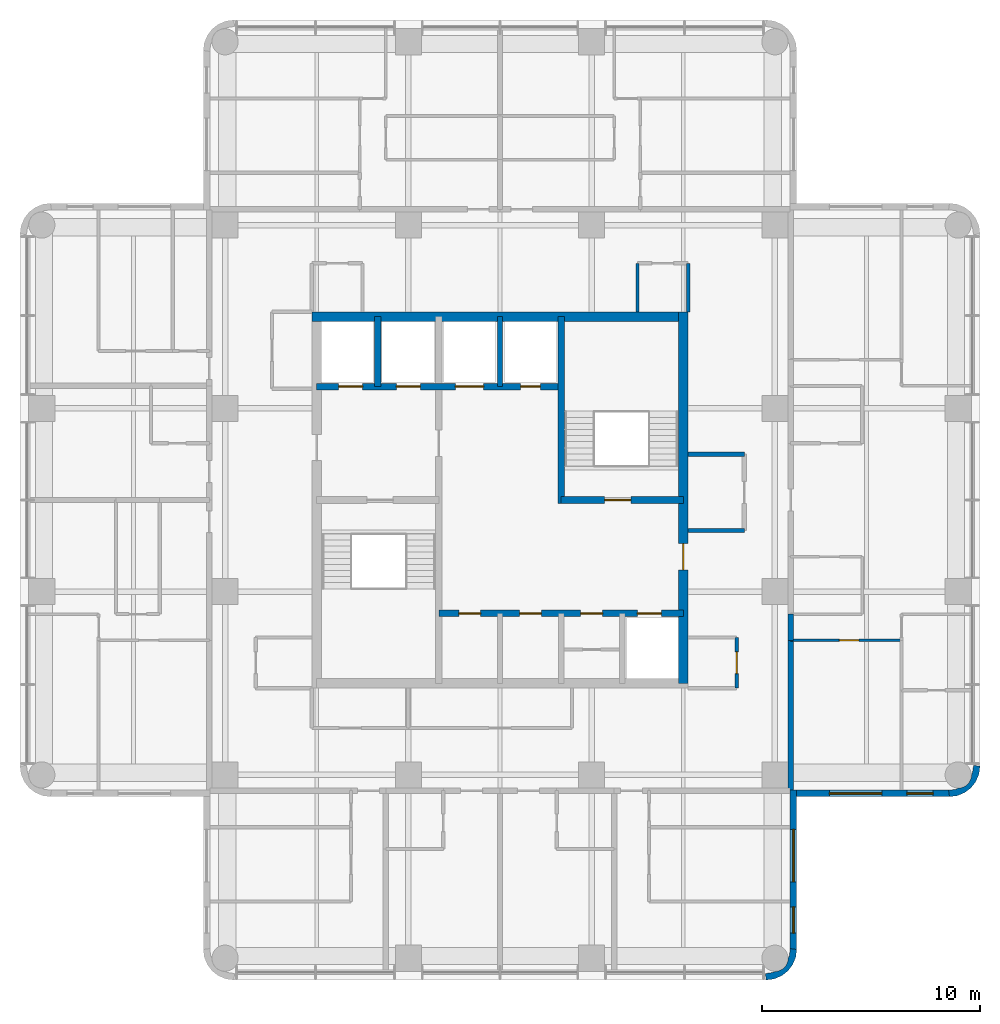
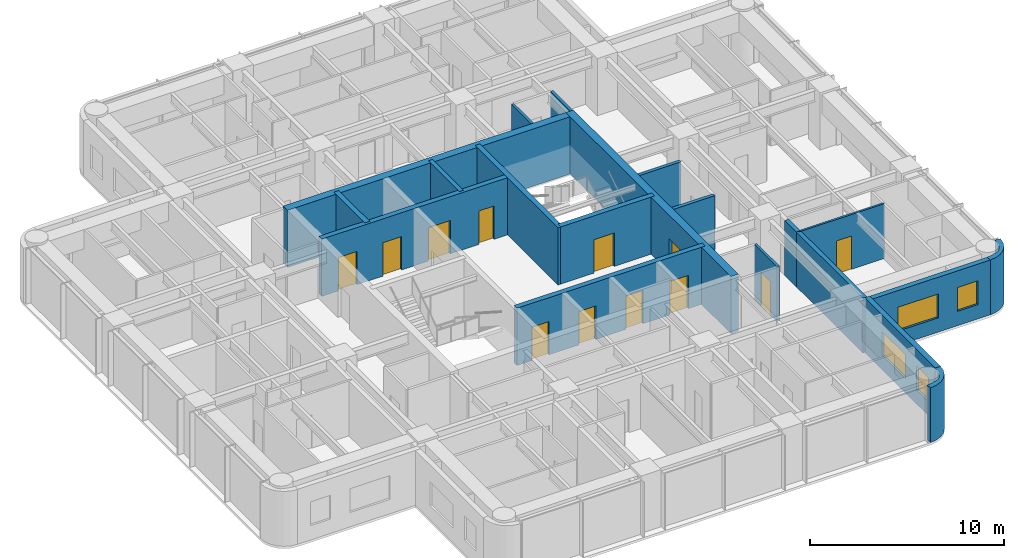
# One storey, part 6 of 10: 20 walls, 12 doors, 4 windows, 16 openings.
"""IFC4 building model written with IfcOpenShell, lengths in metres."""

from ifc_helpers import new_model, si_unit, direction, frame, frame_2d, origin, place, context, subcontext, project, spatial, polyline, rectangle, outline, extrude, material, layer, layer_set, type_object, element, fill, save


model = new_model("IFC4")

# Units and contexts
model_context = context("Model", 3, precision=1e-05, world=origin(), true_north=direction((0.0, 1.0)))
body_context = subcontext(model_context, "Body", "Model", "MODEL_VIEW")
ifc_project = project(units=[si_unit("LENGTHUNIT", "METRE"), si_unit("AREAUNIT", "SQUARE_METRE"), si_unit("VOLUMEUNIT", "CUBIC_METRE"), si_unit("PLANEANGLEUNIT", "RADIAN"), si_unit("MASSUNIT", "GRAM", prefix="KILO")], contexts=[model_context])

# Site, building, storey
site_placement = place(None, origin())
site = spatial("IfcSite", under=ifc_project, at=site_placement, CompositionType="ELEMENT")
building_placement = place(site_placement, origin())
building = spatial("IfcBuilding", under=site, at=building_placement, Name="Torre Alcanfor", CompositionType="ELEMENT")
storey_placement = place(building_placement, frame((0.0, 0.0, 286.5)))
storey = spatial("IfcBuildingStorey", under=building, at=storey_placement, Name="L75", CompositionType="ELEMENT", Elevation=286.5)

# Walls
ifc_material_1 = material(Name="Concrete block masonry, hollow blocks NMX-C-404 9 MPa", Category="masonry")
ifc_layer_1 = layer(ifc_material_1, 0.25)
ifc_layer_set_1 = layer_set([ifc_layer_1], Name="Apartment entrance wall 250 EI 60")
wall_type_1 = type_object("IfcWallType", Name="Apartment entrance wall 250 EI 60", PredefinedType="PARTITIONING", material=ifc_layer_set_1)
wall_1_placement = place(storey_placement, frame((42.72509765625, 24.1708984375, 0.0), z_axis=(0.0, 0.0, 1.0), x_axis=(0.0, -1.0, 0.0)))
element("IfcWall", 1, at=wall_1_placement, inside=storey, type_object=wall_type_1, Name="Partition L75-CORR / L75-EX-LIVING", PredefinedType="PARTITIONING", context=body_context, shape_type="SweptSolid", body=[
    extrude(rectangle(XDim=1.199951171875, YDim=0.25, at=frame_2d((0.60009765625, 0.0))), origin(), (0.0, 0.0, 1.0), 3.449951171875),
])
wall_2_placement = place(storey_placement, frame((42.72509765625, 22.970947265625, 0.0), z_axis=(0.0, 0.0, 1.0), x_axis=(0.0, -1.0, 0.0)))
element("IfcWall", 2, at=wall_2_placement, inside=storey, type_object=wall_type_1, Name="Partition L75-CORR / L75-EX-BED3", PredefinedType="PARTITIONING", context=body_context, shape_type="SweptSolid", body=[
    extrude(rectangle(XDim=6.870849609375, YDim=0.25, at=frame_2d((3.435546875, 0.0))), origin(), (0.0, 0.0, 1.0), 3.449951171875),
])

# Wall, opening, door
ifc_material_2 = material(Name="Gypsum board on steel studs", Category="steel")
ifc_layer_2 = layer(ifc_material_2, 0.1201171875)
ifc_layer_set_2 = layer_set([ifc_layer_2], Name="Apartment partition 120")
wall_type_2 = type_object("IfcWallType", Name="Apartment partition 120", PredefinedType="PARTITIONING", material=ifc_layer_set_2)
wall_3_placement = place(storey_placement, frame((47.800048828125, 22.970947265625, 0.0), z_axis=(0.0, 0.0, 1.0), x_axis=(-1.0, 0.0, 0.0)))
wall_3 = element("IfcWall", 3, at=wall_3_placement, inside=storey, type_object=wall_type_2, Name="Partition L75-EX-LIVING / L75-EX-BED3", PredefinedType="PARTITIONING", context=body_context, shape_type="SweptSolid", body=[
    extrude(rectangle(XDim=5.074951171875, YDim=0.1201171875, at=frame_2d((2.53759765625, 0.0))), origin(), (0.0, 0.0, 1.0), 3.449951171875),
])
opening_1_placement = place(wall_3_placement, frame((1.949951171875, 0.0, 0.0)))
opening_1 = element("IfcOpeningElement", 4, at=opening_1_placement, cuts=wall_3, Name="Opening D-R1", PredefinedType="OPENING", context=body_context, shape_type="SweptSolid", body=[
    extrude(rectangle(XDim=0.89990234375, YDim=2.10009765625, at=frame_2d((0.449951171875, 1.050048828125))), frame((0.0, 0.070068359375, 0.0), z_axis=(0.0, -1.0, 0.0), x_axis=(1.0, 0.0, 0.0)), (0.0, 0.0, 1.0), 0.14013671875),
])
ifc_material_3 = material(Name="Timber", Category="wood")
door_type_1 = type_object("IfcDoorType", Name="Internal door 900x2100", OperationType="SINGLE_SWING_LEFT", PredefinedType="DOOR", material=ifc_material_3)
door_1_placement = place(opening_1_placement, origin())
door_1 = element("IfcDoor", 5, at=door_1_placement, inside=storey, type_object=door_type_1, Name="Door L75-EX bed3", OperationType="SINGLE_SWING_LEFT", OverallHeight=2.10009765625, OverallWidth=0.89990234375, PredefinedType="DOOR", context=body_context, shape_type="SweptSolid", body=[
    extrude(rectangle(XDim=0.89990234375, YDim=2.10009765625, at=frame_2d((0.449951171875, 1.050048828125))), frame((0.0, 0.02490234375, 0.0), z_axis=(0.0, -1.0, 0.0), x_axis=(1.0, 0.0, 0.0)), (0.0, 0.0, 1.0), 0.050048828125),
])
fill(opening_1, door_1)

# Wall, openings, doors
ifc_material_4 = material(Name="Concrete f'c 70 MPa", Category="concrete")
ifc_layer_3 = layer(ifc_material_4, 0.300048828125)
ifc_layer_set_3 = layer_set([ifc_layer_3], Name="Core inner wall 300 f'c70")
wall_type_3 = type_object("IfcWallType", Name="Core inner wall 300 f'c70", PredefinedType="SHEAR", material=ifc_layer_set_3)
wall_4_placement = place(storey_placement, frame((21.0, 34.60009765625, 0.0), z_axis=(0.0, 0.0, 1.0), x_axis=(1.0, 0.0, 0.0)))
wall_4 = element("IfcWall", 6, at=wall_4_placement, inside=storey, type_object=wall_type_3, Name="Core wall Y346 L75", PredefinedType="SHEAR", context=body_context, shape_type="SweptSolid", body=[
    extrude(rectangle(XDim=11.199951171875, YDim=0.300048828125, at=frame_2d((5.60009765625, 0.0))), origin(), (0.0, 0.0, 1.0), 3.60009765625),
])
opening_2_placement = place(wall_4_placement, frame((9.35009765625, 0.0, 0.0)))
opening_2 = element("IfcOpeningElement", 7, at=opening_2_placement, cuts=wall_4, Name="Opening D-Q1", PredefinedType="OPENING", context=body_context, shape_type="SweptSolid", body=[
    extrude(rectangle(XDim=0.89990234375, YDim=2.10009765625, at=frame_2d((0.449951171875, 1.050048828125))), frame((0.0, 0.159912109375, 0.0), z_axis=(0.0, -1.0, 0.0), x_axis=(1.0, 0.0, 0.0)), (0.0, 0.0, 1.0), 0.320068359375),
])
opening_3_placement = place(wall_4_placement, frame((1.0, 0.0, 0.0)))
opening_3 = element("IfcOpeningElement", 8, at=opening_3_placement, cuts=wall_4, Name="Opening LD2", PredefinedType="OPENING", context=body_context, shape_type="SweptSolid", body=[
    extrude(rectangle(XDim=1.10009765625, YDim=2.10009765625, at=frame_2d((0.550048828125, 1.050048828125))), frame((0.0, 0.159912109375, 0.0), z_axis=(0.0, -1.0, 0.0), x_axis=(1.0, 0.0, 0.0)), (0.0, 0.0, 1.0), 0.320068359375),
])
opening_4_placement = place(wall_4_placement, frame((3.64990234375, 0.0, 0.0)))
opening_4 = element("IfcOpeningElement", 9, at=opening_4_placement, cuts=wall_4, Name="Opening LD2", PredefinedType="OPENING", context=body_context, shape_type="SweptSolid", body=[
    extrude(rectangle(XDim=1.10009765625, YDim=2.10009765625, at=frame_2d((0.550048828125, 1.050048828125))), frame((0.0, 0.159912109375, 0.0), z_axis=(0.0, -1.0, 0.0), x_axis=(1.0, 0.0, 0.0)), (0.0, 0.0, 1.0), 0.320068359375),
])
opening_5_placement = place(wall_4_placement, frame((6.35009765625, 0.0, 0.0)))
opening_5 = element("IfcOpeningElement", 10, at=opening_5_placement, cuts=wall_4, Name="Opening LD3", PredefinedType="OPENING", context=body_context, shape_type="SweptSolid", body=[
    extrude(rectangle(XDim=1.300048828125, YDim=2.10009765625, at=frame_2d((0.64990234375, 1.050048828125))), frame((0.0, 0.159912109375, 0.0), z_axis=(0.0, -1.0, 0.0), x_axis=(1.0, 0.0, 0.0)), (0.0, 0.0, 1.0), 0.320068359375),
])
ifc_material_5 = material(Name="Galvanised steel sheet ASTM A653", Category="steel")
door_type_2 = type_object("IfcDoorType", Name="Firefighting lift landing door 1100x2100", OperationType="DOUBLE_DOOR_SLIDING", PredefinedType="DOOR", material=ifc_material_5)
door_2_placement = place(opening_3_placement, origin())
door_2 = element("IfcDoor", 11, at=door_2_placement, inside=storey, type_object=door_type_2, Name="Lift landing door FL1 L75", OperationType="DOUBLE_DOOR_SLIDING", OverallHeight=2.10009765625, OverallWidth=1.10009765625, PredefinedType="DOOR", context=body_context, shape_type="SweptSolid", body=[
    extrude(rectangle(XDim=1.10009765625, YDim=2.10009765625, at=frame_2d((0.550048828125, 1.050048828125))), frame((0.0, 0.02490234375, 0.0), z_axis=(0.0, -1.0, 0.0), x_axis=(1.0, 0.0, 0.0)), (0.0, 0.0, 1.0), 0.050048828125),
])
fill(opening_3, door_2)
door_3_placement = place(opening_4_placement, origin())
door_3 = element("IfcDoor", 12, at=door_3_placement, inside=storey, type_object=door_type_2, Name="Lift landing door FL2 L75", OperationType="DOUBLE_DOOR_SLIDING", OverallHeight=2.10009765625, OverallWidth=1.10009765625, PredefinedType="DOOR", context=body_context, shape_type="SweptSolid", body=[
    extrude(rectangle(XDim=1.10009765625, YDim=2.10009765625, at=frame_2d((0.550048828125, 1.050048828125))), frame((0.0, 0.02490234375, 0.0), z_axis=(0.0, -1.0, 0.0), x_axis=(1.0, 0.0, 0.0)), (0.0, 0.0, 1.0), 0.050048828125),
])
fill(opening_4, door_3)
ifc_material_6 = material(Name="Galvanised steel sheet ASTM A653", Category="steel")
door_type_3 = type_object("IfcDoorType", Name="Riser access door FD120 900x2100", OperationType="SINGLE_SWING_LEFT", PredefinedType="DOOR", material=ifc_material_6)
door_4_placement = place(opening_2_placement, origin())
door_4 = element("IfcDoor", 13, at=door_4_placement, inside=storey, type_object=door_type_3, Name="Riser door L75", OperationType="SINGLE_SWING_LEFT", OverallHeight=2.10009765625, OverallWidth=0.89990234375, PredefinedType="DOOR", context=body_context, shape_type="SweptSolid", body=[
    extrude(rectangle(XDim=0.89990234375, YDim=2.10009765625, at=frame_2d((0.449951171875, 1.050048828125))), frame((0.0, 0.02490234375, 0.0), z_axis=(0.0, -1.0, 0.0), x_axis=(1.0, 0.0, 0.0)), (0.0, 0.0, 1.0), 0.050048828125),
])
fill(opening_2, door_4)
ifc_material_7 = material(Name="Galvanised steel sheet ASTM A653", Category="steel")
door_type_4 = type_object("IfcDoorType", Name="Service lift landing door 1300x2100", OperationType="DOUBLE_DOOR_SLIDING", PredefinedType="DOOR", material=ifc_material_7)
door_5_placement = place(opening_5_placement, origin())
door_5 = element("IfcDoor", 14, at=door_5_placement, inside=storey, type_object=door_type_4, Name="Lift landing door SL1 L75", OperationType="DOUBLE_DOOR_SLIDING", OverallHeight=2.10009765625, OverallWidth=1.300048828125, PredefinedType="DOOR", context=body_context, shape_type="SweptSolid", body=[
    extrude(rectangle(XDim=1.300048828125, YDim=2.10009765625, at=frame_2d((0.64990234375, 1.050048828125))), frame((0.0, 0.02490234375, 0.0), z_axis=(0.0, -1.0, 0.0), x_axis=(1.0, 0.0, 0.0)), (0.0, 0.0, 1.0), 0.050048828125),
])
fill(opening_5, door_5)

# Wall
wall_5_placement = place(storey_placement, frame((23.800048828125, 34.60009765625, 0.0), z_axis=(0.0, 0.0, 1.0), x_axis=(0.0, 1.0, 0.0)))
element("IfcWall", 15, at=wall_5_placement, inside=storey, type_object=wall_type_3, Name="Core wall X238 L75", PredefinedType="SHEAR", context=body_context, shape_type="SweptSolid", body=[
    extrude(rectangle(XDim=3.199951171875, YDim=0.300048828125, at=frame_2d((1.60009765625, 0.0))), origin(), (0.0, 0.0, 1.0), 3.60009765625),
])

# Wall, openings, doors
wall_6_placement = place(storey_placement, frame((26.60009765625, 24.199951171875, 0.0), z_axis=(0.0, 0.0, 1.0), x_axis=(1.0, 0.0, 0.0)))
wall_6 = element("IfcWall", 16, at=wall_6_placement, inside=storey, type_object=wall_type_3, Name="Core wall Y242 L75", PredefinedType="SHEAR", context=body_context, shape_type="SweptSolid", body=[
    extrude(rectangle(XDim=11.199951171875, YDim=0.300048828125, at=frame_2d((5.60009765625, 0.0))), origin(), (0.0, 0.0, 1.0), 3.60009765625),
])
opening_6_placement = place(wall_6_placement, frame((0.91259765625, 0.0, 0.0)))
opening_6 = element("IfcOpeningElement", 17, at=opening_6_placement, cuts=wall_6, Name="Opening D-K1", PredefinedType="OPENING", context=body_context, shape_type="SweptSolid", body=[
    extrude(rectangle(XDim=1.0, YDim=2.10009765625, at=frame_2d((0.5, 1.050048828125))), frame((0.0, 0.159912109375, 0.0), z_axis=(0.0, -1.0, 0.0), x_axis=(1.0, 0.0, 0.0)), (0.0, 0.0, 1.0), 0.320068359375),
])
opening_7_placement = place(wall_6_placement, frame((3.699951171875, 0.0, 0.0)))
opening_7 = element("IfcOpeningElement", 18, at=opening_7_placement, cuts=wall_6, Name="Opening D-K1", PredefinedType="OPENING", context=body_context, shape_type="SweptSolid", body=[
    extrude(rectangle(XDim=1.0, YDim=2.10009765625, at=frame_2d((0.5, 1.050048828125))), frame((0.0, 0.159912109375, 0.0), z_axis=(0.0, -1.0, 0.0), x_axis=(1.0, 0.0, 0.0)), (0.0, 0.0, 1.0), 0.320068359375),
])
opening_8_placement = place(wall_6_placement, frame((6.5, 0.0, 0.0)))
opening_8 = element("IfcOpeningElement", 19, at=opening_8_placement, cuts=wall_6, Name="Opening D-K1", PredefinedType="OPENING", context=body_context, shape_type="SweptSolid", body=[
    extrude(rectangle(XDim=1.0, YDim=2.10009765625, at=frame_2d((0.5, 1.050048828125))), frame((0.0, 0.159912109375, 0.0), z_axis=(0.0, -1.0, 0.0), x_axis=(1.0, 0.0, 0.0)), (0.0, 0.0, 1.0), 0.320068359375),
])
opening_9_placement = place(wall_6_placement, frame((9.10009765625, 0.0, 0.0)))
opening_9 = element("IfcOpeningElement", 20, at=opening_9_placement, cuts=wall_6, Name="Opening LD1", PredefinedType="OPENING", context=body_context, shape_type="SweptSolid", body=[
    extrude(rectangle(XDim=1.10009765625, YDim=2.10009765625, at=frame_2d((0.550048828125, 1.050048828125))), frame((0.0, 0.159912109375, 0.0), z_axis=(0.0, -1.0, 0.0), x_axis=(1.0, 0.0, 0.0)), (0.0, 0.0, 1.0), 0.320068359375),
])
ifc_material_8 = material(Name="Galvanised steel sheet ASTM A653", Category="steel")
door_type_5 = type_object("IfcDoorType", Name="Core room door FD60 1000x2100", OperationType="SINGLE_SWING_LEFT", PredefinedType="DOOR", material=ifc_material_8)
door_6_placement = place(opening_6_placement, frame((1.0, 0.0, 0.0), z_axis=(0.0, 0.0, 1.0), x_axis=(-1.0, 0.0, 0.0)))
door_6 = element("IfcDoor", 21, at=door_6_placement, inside=storey, type_object=door_type_5, Name="Linen store door L75", OperationType="SINGLE_SWING_RIGHT", OverallHeight=2.10009765625, OverallWidth=1.0, PredefinedType="DOOR", context=body_context, shape_type="SweptSolid", body=[
    extrude(rectangle(XDim=1.0, YDim=2.10009765625, at=frame_2d((0.5, 1.050048828125))), frame((0.0, 0.025146484375, 0.0), z_axis=(0.0, -1.0, 0.0), x_axis=(1.0, 0.0, 0.0)), (0.0, 0.0, 1.0), 0.050048828125),
])
fill(opening_6, door_6)
door_7_placement = place(opening_7_placement, frame((1.0, 0.0, 0.0), z_axis=(0.0, 0.0, 1.0), x_axis=(-1.0, 0.0, 0.0)))
door_7 = element("IfcDoor", 22, at=door_7_placement, inside=storey, type_object=door_type_5, Name="IT and comms room door L75", OperationType="SINGLE_SWING_RIGHT", OverallHeight=2.10009765625, OverallWidth=1.0, PredefinedType="DOOR", context=body_context, shape_type="SweptSolid", body=[
    extrude(rectangle(XDim=1.0, YDim=2.10009765625, at=frame_2d((0.5, 1.050048828125))), frame((0.0, 0.025146484375, 0.0), z_axis=(0.0, -1.0, 0.0), x_axis=(1.0, 0.0, 0.0)), (0.0, 0.0, 1.0), 0.050048828125),
])
fill(opening_7, door_7)
door_8_placement = place(opening_8_placement, frame((1.0, 0.0, 0.0), z_axis=(0.0, 0.0, 1.0), x_axis=(-1.0, 0.0, 0.0)))
door_8 = element("IfcDoor", 23, at=door_8_placement, inside=storey, type_object=door_type_5, Name="Housekeeping store door L75", OperationType="SINGLE_SWING_RIGHT", OverallHeight=2.10009765625, OverallWidth=1.0, PredefinedType="DOOR", context=body_context, shape_type="SweptSolid", body=[
    extrude(rectangle(XDim=1.0, YDim=2.10009765625, at=frame_2d((0.5, 1.050048828125))), frame((0.0, 0.025146484375, 0.0), z_axis=(0.0, -1.0, 0.0), x_axis=(1.0, 0.0, 0.0)), (0.0, 0.0, 1.0), 0.050048828125),
])
fill(opening_8, door_8)
ifc_material_9 = material(Name="Galvanised steel sheet ASTM A653", Category="steel")
door_type_6 = type_object("IfcDoorType", Name="Lift landing door 1100x2100", OperationType="DOUBLE_DOOR_SLIDING", PredefinedType="DOOR", material=ifc_material_9)
door_9_placement = place(opening_9_placement, origin())
door_9 = element("IfcDoor", 24, at=door_9_placement, inside=storey, type_object=door_type_6, Name="Lift landing door PA4 L75", OperationType="DOUBLE_DOOR_SLIDING", OverallHeight=2.10009765625, OverallWidth=1.10009765625, PredefinedType="DOOR", context=body_context, shape_type="SweptSolid", body=[
    extrude(rectangle(XDim=1.10009765625, YDim=2.10009765625, at=frame_2d((0.550048828125, 1.050048828125))), frame((0.0, 0.02490234375, 0.0), z_axis=(0.0, -1.0, 0.0), x_axis=(1.0, 0.0, 0.0)), (0.0, 0.0, 1.0), 0.050048828125),
])
fill(opening_9, door_9)

# Wall
wall_7_placement = place(storey_placement, frame((32.199951171875, 29.25, 0.0), z_axis=(0.0, 0.0, 1.0), x_axis=(0.0, 1.0, 0.0)))
element("IfcWall", 25, at=wall_7_placement, inside=storey, type_object=wall_type_3, Name="Core wall X322N L75", PredefinedType="SHEAR", context=body_context, shape_type="SweptSolid", body=[
    extrude(rectangle(XDim=8.550048828125, YDim=0.300048828125, at=frame_2d((4.27490234375, 0.0))), origin(), (0.0, 0.0, 1.0), 3.60009765625),
])

# Wall, opening, door
wall_8_placement = place(storey_placement, frame((32.199951171875, 29.39990234375, 0.0), z_axis=(0.0, 0.0, 1.0), x_axis=(1.0, 0.0, 0.0)))
wall_8 = element("IfcWall", 26, at=wall_8_placement, inside=storey, type_object=wall_type_3, Name="Core wall Y294E L75", PredefinedType="SHEAR", context=body_context, shape_type="SweptSolid", body=[
    extrude(rectangle(XDim=5.60009765625, YDim=0.300048828125, at=frame_2d((2.800048828125, 0.0))), origin(), (0.0, 0.0, 1.0), 3.60009765625),
])
opening_10_placement = place(wall_8_placement, frame((2.0, 0.0, 0.0)))
opening_10 = element("IfcOpeningElement", 27, at=opening_10_placement, cuts=wall_8, Name="Opening D-S2", PredefinedType="OPENING", context=body_context, shape_type="SweptSolid", body=[
    extrude(rectangle(XDim=1.199951171875, YDim=2.10009765625, at=frame_2d((0.60009765625, 1.050048828125))), frame((0.0, 0.159912109375, 0.0), z_axis=(0.0, -1.0, 0.0), x_axis=(1.0, 0.0, 0.0)), (0.0, 0.0, 1.0), 0.320068359375),
])
ifc_material_10 = material(Name="Galvanised steel sheet ASTM A653", Category="steel")
door_type_7 = type_object("IfcDoorType", Name="Stair enclosure door FD120 1200x2100", OperationType="SINGLE_SWING_LEFT", PredefinedType="DOOR", material=ifc_material_10)
door_10_placement = place(opening_10_placement, origin())
door_10 = element("IfcDoor", 28, at=door_10_placement, inside=storey, type_object=door_type_7, Name="Stair S2 door L75", OperationType="SINGLE_SWING_LEFT", OverallHeight=2.10009765625, OverallWidth=1.199951171875, PredefinedType="DOOR", context=body_context, shape_type="SweptSolid", body=[
    extrude(rectangle(XDim=1.199951171875, YDim=2.10009765625, at=frame_2d((0.60009765625, 1.050048828125))), frame((0.0, 0.02490234375, 0.0), z_axis=(0.0, -1.0, 0.0), x_axis=(1.0, 0.0, 0.0)), (0.0, 0.0, 1.0), 0.050048828125),
])
fill(opening_10, door_10)

# Wall
ifc_material_11 = material(Name="Concrete f'c 70 MPa", Category="concrete")
ifc_layer_4 = layer(ifc_material_11, 0.25)
ifc_layer_set_4 = layer_set([ifc_layer_4], Name="Core shaft wall 250 f'c70")
wall_type_4 = type_object("IfcWallType", Name="Core shaft wall 250 f'c70", PredefinedType="SHEAR", material=ifc_layer_set_4)
wall_9_placement = place(storey_placement, frame((29.39990234375, 34.60009765625, 0.0), z_axis=(0.0, 0.0, 1.0), x_axis=(0.0, 1.0, 0.0)))
element("IfcWall", 29, at=wall_9_placement, inside=storey, type_object=wall_type_4, Name="Core wall X294N L75", PredefinedType="SHEAR", context=body_context, shape_type="SweptSolid", body=[
    extrude(rectangle(XDim=3.199951171875, YDim=0.25, at=frame_2d((1.60009765625, 0.0))), origin(), (0.0, 0.0, 1.0), 3.60009765625),
])

# Wall, opening, door
ifc_material_12 = material(Name="Concrete f'c 70 MPa", Category="concrete")
ifc_layer_5 = layer(ifc_material_12, 0.449951171875)
ifc_layer_set_5 = layer_set([ifc_layer_5], Name="Core wall 450 f'c70")
wall_type_5 = type_object("IfcWallType", Name="Core wall 450 f'c70", PredefinedType="SHEAR", material=ifc_layer_set_5)
wall_10_placement = place(storey_placement, frame((37.800048828125, 21.0, 0.0), z_axis=(0.0, 0.0, 1.0), x_axis=(0.0, 1.0, 0.0)))
wall_10 = element("IfcWall", 30, at=wall_10_placement, inside=storey, type_object=wall_type_5, Name="Core wall OUT-E L75", PredefinedType="SHEAR", context=body_context, shape_type="SweptSolid", body=[
    extrude(rectangle(XDim=17.02490234375, YDim=0.449951171875, at=frame_2d((8.512451171875, 0.0))), origin(), (0.0, 0.0, 1.0), 3.60009765625),
])
opening_11_placement = place(wall_10_placement, frame((5.199951171875, 0.0, 0.0)))
opening_11 = element("IfcOpeningElement", 31, at=opening_11_placement, cuts=wall_10, Name="Opening D-L1", PredefinedType="OPENING", context=body_context, shape_type="SweptSolid", body=[
    extrude(rectangle(XDim=1.199951171875, YDim=2.10009765625, at=frame_2d((0.60009765625, 1.050048828125))), frame((0.0, 0.23486328125, 0.0), z_axis=(0.0, -1.0, 0.0), x_axis=(1.0, 0.0, 0.0)), (0.0, 0.0, 1.0), 0.469970703125),
])
ifc_material_13 = material(Name="Galvanised steel sheet ASTM A653", Category="steel")
door_type_8 = type_object("IfcDoorType", Name="Lobby door FD120 1200x2100", OperationType="SINGLE_SWING_LEFT", PredefinedType="DOOR", material=ifc_material_13)
door_11_placement = place(opening_11_placement, origin())
door_11 = element("IfcDoor", 32, at=door_11_placement, inside=storey, type_object=door_type_8, Name="Lift lobby entrance door L75", OperationType="SINGLE_SWING_LEFT", OverallHeight=2.10009765625, OverallWidth=1.199951171875, PredefinedType="DOOR", context=body_context, shape_type="SweptSolid", body=[
    extrude(rectangle(XDim=1.199951171875, YDim=2.10009765625, at=frame_2d((0.60009765625, 1.050048828125))), frame((0.0, 0.02490234375, 0.0), z_axis=(0.0, -1.0, 0.0), x_axis=(1.0, 0.0, 0.0)), (0.0, 0.0, 1.0), 0.050048828125),
])
fill(opening_11, door_11)

# Wall
wall_11_placement = place(storey_placement, frame((37.800048828125, 37.800048828125, 0.0), z_axis=(0.0, 0.0, 1.0), x_axis=(-1.0, 0.0, 0.0)))
element("IfcWall", 33, at=wall_11_placement, inside=storey, type_object=wall_type_5, Name="Core wall OUT-N L75", PredefinedType="SHEAR", context=body_context, shape_type="SweptSolid", body=[
    extrude(rectangle(XDim=17.025146484375, YDim=0.449951171875, at=frame_2d((8.5126953125, 0.0))), origin(), (0.0, 0.0, 1.0), 3.60009765625),
])

# Wall, openings, windows
ifc_material_14 = material(Name="Limestone cladding", Category="masonry")
ifc_layer_6 = layer(ifc_material_14, 0.0400390625, Name="Facing")
ifc_material_15 = material(Name="Ventilated air cavity")
ifc_layer_7 = layer(ifc_material_15, 0.02001953125, ventilated=True, Name="Ventilated joint")
ifc_material_16 = material(Name="Mineral wool insulation", Category="insulation")
ifc_layer_8 = layer(ifc_material_16, 0.10009765625, Name="Insulation")
ifc_material_17 = material(Name="Concrete f'c 35 MPa", Category="concrete")
ifc_layer_9 = layer(ifc_material_17, 0.139892578125, Name="Backing")
ifc_layer_set_6 = layer_set([ifc_layer_6, ifc_layer_7, ifc_layer_8, ifc_layer_9], Name="External wall stone-clad 300")
wall_type_6 = type_object("IfcWallType", Name="External wall stone-clad 300", PredefinedType="SOLIDWALL", material=ifc_layer_set_6)
wall_12_placement = place(storey_placement, frame((42.85009765625, 8.800048828125, 0.0), z_axis=(0.0, 0.0, 1.0), x_axis=(0.0, 1.0, 0.0)))
wall_12 = element("IfcWall", 34, at=wall_12_placement, inside=storey, type_object=wall_type_6, Name="External wall L75 6", PredefinedType="SOLIDWALL", context=body_context, shape_type="SweptSolid", body=[
    extrude(rectangle(XDim=7.300048828125, YDim=0.300048828125, at=frame_2d((3.64990234375, 0.0))), origin(), (0.0, 0.0, 1.0), 3.449951171875),
])
opening_12_placement = place(wall_12_placement, frame((3.10009765625, 0.0, 0.89990234375)))
opening_12 = element("IfcOpeningElement", 35, at=opening_12_placement, cuts=wall_12, Name="Opening W1", PredefinedType="OPENING", context=body_context, shape_type="SweptSolid", body=[
    extrude(rectangle(XDim=2.39990234375, YDim=1.5, at=frame_2d((1.199951171875, 0.75))), frame((0.0, 0.159912109375, 0.0), z_axis=(0.0, -1.0, 0.0), x_axis=(1.0, 0.0, 0.0)), (0.0, 0.0, 1.0), 0.320068359375),
])
opening_13_placement = place(wall_12_placement, frame((0.75, 0.0, 0.89990234375)))
opening_13 = element("IfcOpeningElement", 36, at=opening_13_placement, cuts=wall_12, Name="Opening W4", PredefinedType="OPENING", context=body_context, shape_type="SweptSolid", body=[
    extrude(rectangle(XDim=1.199951171875, YDim=1.5, at=frame_2d((0.60009765625, 0.75))), frame((0.0, 0.159912109375, 0.0), z_axis=(0.0, -1.0, 0.0), x_axis=(1.0, 0.0, 0.0)), (0.0, 0.0, 1.0), 0.320068359375),
])
ifc_material_18 = material(Name="Aluminium frame with clear double glazing", Category="aluminium")
window_type_1 = type_object("IfcWindowType", Name="Window bedroom 1200x1500", PartitioningType="SINGLE_PANEL", PredefinedType="WINDOW", material=ifc_material_18)
window_1_placement = place(opening_13_placement, origin())
window_1 = element("IfcWindow", 37, at=window_1_placement, inside=storey, type_object=window_type_1, Name="Window W4 L75-S1", OverallHeight=1.5, OverallWidth=1.199951171875, PartitioningType="SINGLE_PANEL", PredefinedType="WINDOW", context=body_context, shape_type="SweptSolid", body=[
    extrude(rectangle(XDim=1.199951171875, YDim=1.5, at=frame_2d((0.60009765625, 0.75))), frame((0.0, 0.030029296875, 0.0), z_axis=(0.0, -1.0, 0.0), x_axis=(1.0, 0.0, 0.0)), (0.0, 0.0, 1.0), 0.06005859375),
])
fill(opening_13, window_1)
ifc_material_19 = material(Name="Aluminium frame with clear double glazing", Category="aluminium")
window_type_2 = type_object("IfcWindowType", Name="Window bedroom 2400x1500", PartitioningType="SINGLE_PANEL", PredefinedType="WINDOW", material=ifc_material_19)
window_2_placement = place(opening_12_placement, origin())
window_2 = element("IfcWindow", 38, at=window_2_placement, inside=storey, type_object=window_type_2, Name="Window W1 L75-S1", OverallHeight=1.5, OverallWidth=2.39990234375, PartitioningType="SINGLE_PANEL", PredefinedType="WINDOW", context=body_context, shape_type="SweptSolid", body=[
    extrude(rectangle(XDim=2.39990234375, YDim=1.5, at=frame_2d((1.199951171875, 0.75))), frame((0.0, 0.030029296875, 0.0), z_axis=(0.0, -1.0, 0.0), x_axis=(1.0, 0.0, 0.0)), (0.0, 0.0, 1.0), 0.06005859375),
])
fill(opening_12, window_2)

wall_13_placement = place(storey_placement, frame((43.0, 15.949951171875, 0.0), z_axis=(0.0, 0.0, 1.0), x_axis=(1.0, 0.0, 0.0)))
wall_13 = element("IfcWall", 39, at=wall_13_placement, inside=storey, type_object=wall_type_6, Name="External wall L75 7", PredefinedType="SOLIDWALL", context=body_context, shape_type="SweptSolid", body=[
    extrude(rectangle(XDim=7.0, YDim=0.300048828125, at=frame_2d((3.5, 0.0))), origin(), (0.0, 0.0, 1.0), 3.449951171875),
])
opening_14_placement = place(wall_13_placement, frame((1.5, 0.0, 0.89990234375)))
opening_14 = element("IfcOpeningElement", 40, at=opening_14_placement, cuts=wall_13, Name="Opening W1", PredefinedType="OPENING", context=body_context, shape_type="SweptSolid", body=[
    extrude(rectangle(XDim=2.39990234375, YDim=1.5, at=frame_2d((1.199951171875, 0.75))), frame((0.0, 0.159912109375, 0.0), z_axis=(0.0, -1.0, 0.0), x_axis=(1.0, 0.0, 0.0)), (0.0, 0.0, 1.0), 0.320068359375),
])
opening_15_placement = place(wall_13_placement, frame((5.050048828125, 0.0, 0.89990234375)))
opening_15 = element("IfcOpeningElement", 41, at=opening_15_placement, cuts=wall_13, Name="Opening W4", PredefinedType="OPENING", context=body_context, shape_type="SweptSolid", body=[
    extrude(rectangle(XDim=1.199951171875, YDim=1.5, at=frame_2d((0.60009765625, 0.75))), frame((0.0, 0.159912109375, 0.0), z_axis=(0.0, -1.0, 0.0), x_axis=(1.0, 0.0, 0.0)), (0.0, 0.0, 1.0), 0.320068359375),
])
window_3_placement = place(opening_15_placement, origin())
window_3 = element("IfcWindow", 42, at=window_3_placement, inside=storey, type_object=window_type_1, Name="Window W4 L75-E2", OverallHeight=1.5, OverallWidth=1.199951171875, PartitioningType="SINGLE_PANEL", PredefinedType="WINDOW", context=body_context, shape_type="SweptSolid", body=[
    extrude(rectangle(XDim=1.199951171875, YDim=1.5, at=frame_2d((0.60009765625, 0.75))), frame((0.0, 0.030029296875, 0.0), z_axis=(0.0, -1.0, 0.0), x_axis=(1.0, 0.0, 0.0)), (0.0, 0.0, 1.0), 0.06005859375),
])
fill(opening_15, window_3)
window_4_placement = place(opening_14_placement, origin())
window_4 = element("IfcWindow", 43, at=window_4_placement, inside=storey, type_object=window_type_2, Name="Window W1 L75-E2", OverallHeight=1.5, OverallWidth=2.39990234375, PartitioningType="SINGLE_PANEL", PredefinedType="WINDOW", context=body_context, shape_type="SweptSolid", body=[
    extrude(rectangle(XDim=2.39990234375, YDim=1.5, at=frame_2d((1.199951171875, 0.75))), frame((0.0, 0.030029296875, 0.0), z_axis=(0.0, -1.0, 0.0), x_axis=(1.0, 0.0, 0.0)), (0.0, 0.0, 1.0), 0.06005859375),
])
fill(opening_14, window_4)

# Walls
ifc_material_20 = material(Name="Concrete block masonry, hollow blocks NMX-C-404 9 MPa", Category="masonry")
ifc_layer_10 = layer(ifc_material_20, 0.199951171875)
ifc_layer_set_7 = layer_set([ifc_layer_10], Name="Plant room wall 200 EI 60")
wall_type_7 = type_object("IfcWallType", Name="Plant room wall 200 EI 60", PredefinedType="PARTITIONING", material=ifc_layer_set_7)
for number, where, z_axis, x_axis, name in (
    (44, (38.02490234375, 28.0, 0.0), (0.0, 0.0, 1.0), (1.0, 0.0, 0.0), "Partition L75-CORR / L75-G04"),
    (45, (40.60009765625, 31.5, 0.0), (0.0, 0.0, 1.0), (-1.0, 0.0, 0.0), "Partition L75-CORR / L75-G04"),
):
    element("IfcWall", number, at=place(storey_placement, frame(where, z_axis=z_axis, x_axis=x_axis)), inside=storey, type_object=wall_type_7, Name=name, PredefinedType="PARTITIONING", context=body_context, shape_type="SweptSolid", body=[
        extrude(rectangle(XDim=2.5751953125, YDim=0.199951171875, at=frame_2d((1.28759765625, 0.0))), origin(), (0.0, 0.0, 1.0), 3.449951171875),
    ])
ifc_material_21 = material(Name="Concrete block masonry, hollow blocks NMX-C-404 9 MPa", Category="masonry")
ifc_layer_11 = layer(ifc_material_21, 0.14990234375)
ifc_layer_set_8 = layer_set([ifc_layer_11], Name="Residents' room partition 150")
wall_type_8 = type_object("IfcWallType", Name="Residents' room partition 150", PredefinedType="PARTITIONING", material=ifc_layer_set_8)
for number, where, z_axis, x_axis, name in (
    (46, (38.02490234375, 38.02490234375, 0.0), (0.0, 0.0, 1.0), (0.0, 1.0, 0.0), "Partition L75-CORR / L75-G02"),
    (47, (35.699951171875, 40.25, 0.0), (0.0, 0.0, 1.0), (0.0, -1.0, 0.0), "Partition L75-CORR / L75-G02"),
):
    element("IfcWall", number, at=place(storey_placement, frame(where, z_axis=z_axis, x_axis=x_axis)), inside=storey, type_object=wall_type_8, Name=name, PredefinedType="PARTITIONING", context=body_context, shape_type="SweptSolid", body=[
        extrude(rectangle(XDim=2.22509765625, YDim=0.14990234375, at=frame_2d((1.112548828125, 0.0))), origin(), (0.0, 0.0, 1.0), 3.449951171875),
    ])

# Wall, opening, door
wall_14_placement = place(storey_placement, frame((40.25, 20.77490234375, 0.0), z_axis=(0.0, 0.0, 1.0), x_axis=(0.0, 1.0, 0.0)))
wall_14 = element("IfcWall", 48, at=wall_14_placement, inside=storey, type_object=wall_type_8, Name="Partition L75-CORR / L75-G03", PredefinedType="PARTITIONING", context=body_context, shape_type="SweptSolid", body=[
    extrude(rectangle(XDim=2.3251953125, YDim=0.14990234375, at=frame_2d((1.16259765625, 0.0))), origin(), (0.0, 0.0, 1.0), 3.449951171875),
])
opening_16_placement = place(wall_14_placement, frame((0.66259765625, 0.0, 0.0)))
opening_16 = element("IfcOpeningElement", 49, at=opening_16_placement, cuts=wall_14, Name="Opening D-M1", PredefinedType="OPENING", context=body_context, shape_type="SweptSolid", body=[
    extrude(rectangle(XDim=1.0, YDim=2.10009765625, at=frame_2d((0.5, 1.050048828125))), frame((0.0, 0.0849609375, 0.0), z_axis=(0.0, -1.0, 0.0), x_axis=(1.0, 0.0, 0.0)), (0.0, 0.0, 1.0), 0.169921875),
])
ifc_material_22 = material(Name="Timber", Category="wood")
door_type_9 = type_object("IfcDoorType", Name="Residents' room door 1000x2100", OperationType="SINGLE_SWING_LEFT", PredefinedType="DOOR", material=ifc_material_22)
door_12_placement = place(opening_16_placement, origin())
door_12 = element("IfcDoor", 50, at=door_12_placement, inside=storey, type_object=door_type_9, Name="Door L75-G03 cleaners' store", OperationType="SINGLE_SWING_LEFT", OverallHeight=2.10009765625, OverallWidth=1.0, PredefinedType="DOOR", context=body_context, shape_type="SweptSolid", body=[
    extrude(rectangle(XDim=1.0, YDim=2.10009765625, at=frame_2d((0.5, 1.050048828125))), frame((0.0, 0.02490234375, 0.0), z_axis=(0.0, -1.0, 0.0), x_axis=(1.0, 0.0, 0.0)), (0.0, 0.0, 1.0), 0.050048828125),
])
fill(opening_16, door_12)

# Walls
ifc_layer_12 = layer(ifc_material_14, 0.0400390625, Name="Facing")
ifc_layer_13 = layer(ifc_material_15, 0.02001953125, ventilated=True, Name="Ventilated joint")
ifc_layer_14 = layer(ifc_material_16, 0.10009765625, Name="Insulation")
ifc_layer_15 = layer(ifc_material_17, 0.139892578125, Name="Backing")
ifc_layer_set_9 = layer_set([ifc_layer_12, ifc_layer_13, ifc_layer_14, ifc_layer_15], Name="Rounded corner pier stone-clad 300")
wall_type_9 = type_object("IfcWallType", Name="Rounded corner pier stone-clad 300", PredefinedType="SOLIDWALL", material=ifc_layer_set_9)
wall_15_placement = place(storey_placement, frame((41.638418254, 7.824101883, 0.0), z_axis=(0.0, 0.0, 1.0), x_axis=(0.707106781187, -0.707106781187, 0.0)))
element("IfcWall", 51, at=wall_15_placement, inside=storey, type_object=wall_type_9, Name="Corner pier L75 16", PredefinedType="SOLIDWALL", context=body_context, shape_type="SweptSolid", body=[
    extrude(outline(polyline([(0.0325517960828704, 1.468682453281438), (0.04670774238592146, 1.4545265069783868), (0.23297927971509252, 1.2116311844370118), (0.29219256729980597, 1.0692085539489986), (0.35796592756154294, 1.0034351936872616), (0.44946167805687254, 0.7824643245664655), (0.44946167805687254, 0.5431943053466035), (0.3577932940700423, 0.322396069717308), (0.2921925672998059, 0.2567953429470716), (0.23315191320659318, 0.1142000789675579), (0.046707742385921465, -0.12886787706531783), (0.03272442957437109, -0.14285118987686818), (0.2728576162517362, -0.3270511253080318), (0.4952095533045373, -0.03702685958698693), (0.6350426814200412, 0.3006442497882296), (0.6826895250742129, 0.6628293149565345), (0.635042681420041, 1.0253596471078406), (0.49520955330453736, 1.3630307564830573), (0.2726849827602357, 1.6528823887126016), (0.0325517960828704, 1.468682453281438)])), origin(), (0.0, 0.0, 1.0), 3.449951171875),
])
wall_16_placement = place(storey_placement, frame((50.038418254, 16.224101883, 0.0), z_axis=(0.0, 0.0, 1.0), x_axis=(0.707106781187, -0.707106781187, 0.0)))
element("IfcWall", 52, at=wall_16_placement, inside=storey, type_object=wall_type_9, Name="Corner pier L75 17", PredefinedType="SOLIDWALL", context=body_context, shape_type="SweptSolid", body=[
    extrude(outline(polyline([(0.046707742385922124, 1.454733667168189), (0.23315191320659384, 1.2116657111353133), (0.29219256729980647, 1.0690704471557995), (0.35796592756154344, 1.0032970868940625), (0.44928904456537255, 0.782498851264767), (0.44946167805687315, 0.5434014655364057), (0.3579659275615435, 0.3224305964156095), (0.2921925672998065, 0.25665723615387254), (0.2331519132065938, 0.11406197217435879), (0.046535108894421466, -0.1288333503670163), (0.032551796082871086, -0.14281666317856667), (0.2726849827602362, -0.3270165986097303), (0.495209553304538, -0.03716496638018607), (0.6350426814200417, 0.30050614299503053), (0.6826895250742134, 0.6630364751463366), (0.6350426814200417, 1.0252215403146416), (0.495209553304538, 1.3628926496898581), (0.27268498276023634, 1.6527442819194023), (0.032724429574371716, 1.4687169799797393), (0.046707742385922124, 1.454733667168189)])), origin(), (0.0, 0.0, 1.0), 3.449951171875),
])

save(model, "model.ifc")
